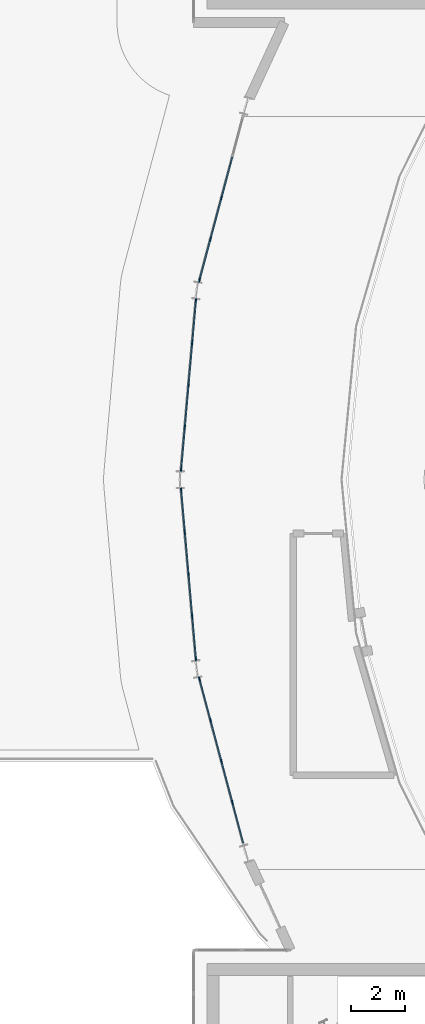
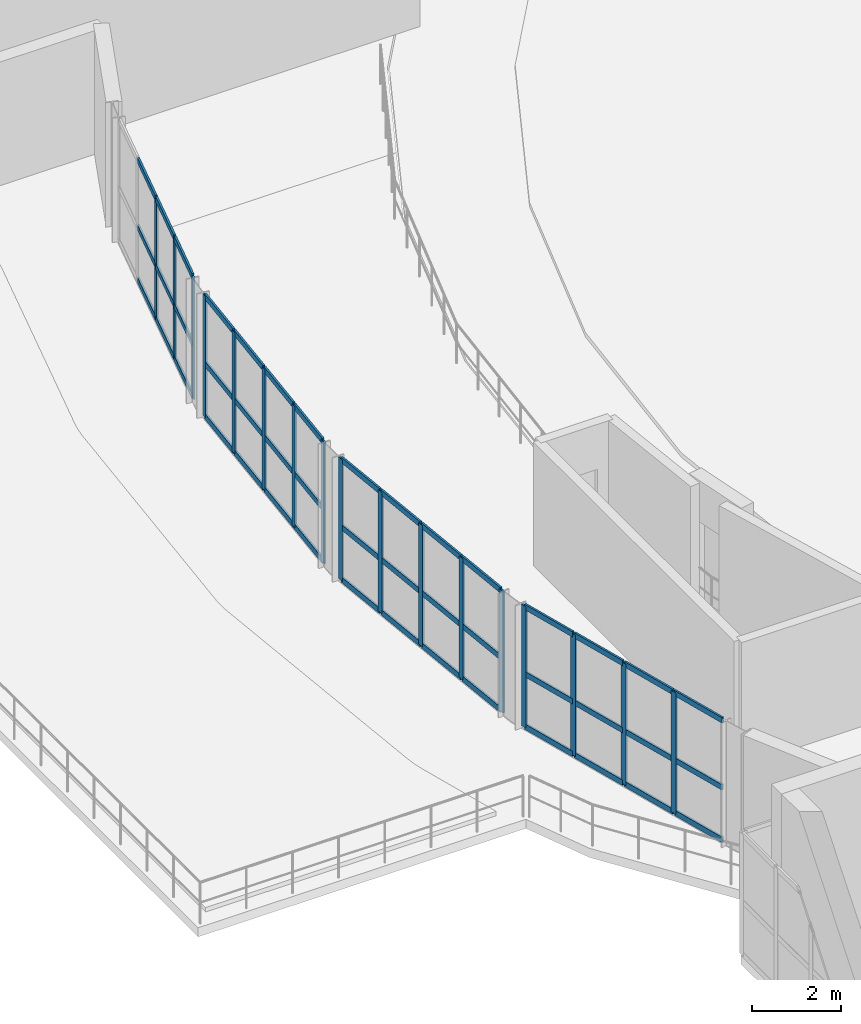
# One storey, part 12 of 40: 62 members, 4 elements without a shape of their own.
"""IFC4 building model written with IfcOpenShell, lengths in metres."""

from ifc_helpers import new_model, si_unit, direction, frame, origin, origin_2d, place, context, subcontext, project, spatial, rectangle, extrude, material, material_profile, profile_set, type_object, element, aggregate, save


model = new_model("IFC4")

# Units and contexts
model_context = context("Model", 3, precision=1e-05, world=origin(), true_north=direction((0.0, 1.0)))
body_context = subcontext(model_context, "Body", "Model", "MODEL_VIEW")
ifc_project = project(units=[si_unit("LENGTHUNIT", "METRE"), si_unit("AREAUNIT", "SQUARE_METRE"), si_unit("VOLUMEUNIT", "CUBIC_METRE"), si_unit("PLANEANGLEUNIT", "RADIAN"), si_unit("MASSUNIT", "GRAM", prefix="KILO")], contexts=[model_context])

# Site, building, storey
site_placement = place(None, origin())
site = spatial("IfcSite", under=ifc_project, at=site_placement, CompositionType="ELEMENT")
building_placement = place(site_placement, origin())
building = spatial("IfcBuilding", under=site, at=building_placement, Name="Glasvene Arena", CompositionType="ELEMENT")
storey_placement = place(building_placement, frame((0.0, 0.0, 24.0)))
storey = spatial("IfcBuildingStorey", under=building, at=storey_placement, Name="L05", CompositionType="ELEMENT", Elevation=24.0)

# Curtain wall, members
ifc_material_1 = material(Name="Low-emissivity laminated double glazing", Category="glass")
curtain_wall_type_1 = type_object("IfcCurtainWallType", Name="CW-FAC-L05-637x332", PredefinedType="USERDEFINED", material=ifc_material_1)
curtain_wall_1_placement = place(storey_placement, frame((44.3525390625, 59.44873046875, 0.0)))
curtain_wall_1 = element("IfcCurtainWall", 1, at=curtain_wall_1_placement, inside=storey, type_object=curtain_wall_type_1, Name="Unitised curtain wall CW-F-L05-150-435-625-5", ObjectType="CURTAIN WALL", PredefinedType="USERDEFINED")
ifc_material_2 = material(Name="Anodised architectural aluminium", Category="aluminium")
ifc_material_profile_1 = material_profile(ifc_material_2, rectangle(XDim=0.050048828125, YDim=0.159912109375, at=origin_2d()), Name="ALU MULLION 50x160")
ifc_profile_set_1 = profile_set([ifc_material_profile_1], Name="Anodised architectural aluminium")
member_type_1 = type_object("IfcMemberType", Name="CW-MUL-150", PredefinedType="MULLION", material=ifc_profile_set_1)
member_1_placement = place(storey_placement, frame((43.942138671875, 60.987548828125, 0.06005859375), z_axis=(0.0, 0.0, 1.0), x_axis=(-0.966214613156, -0.257738862657, 0.0)))
member_1 = element("IfcMember", 2, at=member_1_placement, type_object=member_type_1, Name="CW-057 mullion 2", PredefinedType="MULLION", context=body_context, shape_type="SweptSolid", body=[
    extrude(rectangle(XDim=0.050048828125, YDim=0.159912109375, at=origin_2d()), origin(), (0.0, 0.0, 1.0), 3.31982421875),
])
member_2_placement = place(storey_placement, frame((43.53173828125, 62.526123046875, 0.06005859375), z_axis=(0.0, 0.0, 1.0), x_axis=(-0.966214613156, -0.257738862657, 0.0)))
member_2 = element("IfcMember", 3, at=member_2_placement, type_object=member_type_1, Name="CW-057 mullion 3", PredefinedType="MULLION", context=body_context, shape_type="SweptSolid", body=[
    extrude(rectangle(XDim=0.050048828125, YDim=0.159912109375, at=origin_2d()), origin(), (0.0, 0.0, 1.0), 3.31982421875),
])
member_3_placement = place(storey_placement, frame((43.121337890625, 64.06494140625, 0.06005859375), z_axis=(0.0, 0.0, 1.0), x_axis=(-0.966214613156, -0.257738862657, 0.0)))
member_3 = element("IfcMember", 4, at=member_3_placement, type_object=member_type_1, Name="CW-057 mullion 4", PredefinedType="MULLION", context=body_context, shape_type="SweptSolid", body=[
    extrude(rectangle(XDim=0.050048828125, YDim=0.159912109375, at=origin_2d()), origin(), (0.0, 0.0, 1.0), 3.31982421875),
])
member_4_placement = place(storey_placement, frame((42.71728515625, 65.579345703125, 0.06005859375), z_axis=(0.0, 0.0, 1.0), x_axis=(-0.966214613156, -0.257738862657, 0.0)))
member_4 = element("IfcMember", 5, at=member_4_placement, type_object=member_type_1, Name="CW-057 mullion 5", PredefinedType="MULLION", context=body_context, shape_type="SweptSolid", body=[
    extrude(rectangle(XDim=0.050048828125, YDim=0.159912109375, at=origin_2d()), origin(), (0.0, 0.0, 1.0), 3.31982421875),
])

curtain_wall_type_2 = type_object("IfcCurtainWallType", Name="CW-FAC-L05-633x332", PredefinedType="USERDEFINED", material=ifc_material_1)
curtain_wall_2_placement = place(storey_placement, frame((42.58349609375, 66.326416015625, 0.0)))
curtain_wall_2 = element("IfcCurtainWall", 6, at=curtain_wall_2_placement, inside=storey, type_object=curtain_wall_type_2, Name="Unitised curtain wall CW-F-L05-150-423-695-6", ObjectType="CURTAIN WALL", PredefinedType="USERDEFINED")
member_5_placement = place(storey_placement, frame((42.58154296875, 66.351318359375, 0.06005859375), z_axis=(0.0, 0.0, 1.0), x_axis=(-0.996198448102, -0.087112869305, 0.0)))
member_5 = element("IfcMember", 7, at=member_5_placement, type_object=member_type_1, Name="CW-058 mullion 1", PredefinedType="MULLION", context=body_context, shape_type="SweptSolid", body=[
    extrude(rectangle(XDim=0.050048828125, YDim=0.159912109375, at=origin_2d()), origin(), (0.0, 0.0, 1.0), 3.31982421875),
])
member_6_placement = place(storey_placement, frame((42.44580078125, 67.903076171875, 0.06005859375), z_axis=(0.0, 0.0, 1.0), x_axis=(-0.996198448102, -0.087112869305, 0.0)))
member_6 = element("IfcMember", 8, at=member_6_placement, type_object=member_type_1, Name="CW-058 mullion 2", PredefinedType="MULLION", context=body_context, shape_type="SweptSolid", body=[
    extrude(rectangle(XDim=0.050048828125, YDim=0.159912109375, at=origin_2d()), origin(), (0.0, 0.0, 1.0), 3.31982421875),
])
member_7_placement = place(storey_placement, frame((42.307861328125, 69.479736328125, 0.06005859375), z_axis=(0.0, 0.0, 1.0), x_axis=(-0.996198448102, -0.087112869305, 0.0)))
member_7 = element("IfcMember", 9, at=member_7_placement, type_object=member_type_1, Name="CW-058 mullion 3", PredefinedType="MULLION", context=body_context, shape_type="SweptSolid", body=[
    extrude(rectangle(XDim=0.050048828125, YDim=0.159912109375, at=origin_2d()), origin(), (0.0, 0.0, 1.0), 3.31982421875),
])
member_8_placement = place(storey_placement, frame((42.169921875, 71.056396484375, 0.06005859375), z_axis=(0.0, 0.0, 1.0), x_axis=(-0.996198448102, -0.087112869305, 0.0)))
member_8 = element("IfcMember", 10, at=member_8_placement, type_object=member_type_1, Name="CW-058 mullion 4", PredefinedType="MULLION", context=body_context, shape_type="SweptSolid", body=[
    extrude(rectangle(XDim=0.050048828125, YDim=0.159912109375, at=origin_2d()), origin(), (0.0, 0.0, 1.0), 3.31982421875),
])
member_9_placement = place(storey_placement, frame((42.0341796875, 72.6083984375, 0.06005859375), z_axis=(0.0, 0.0, 1.0), x_axis=(-0.996198448102, -0.087112869305, 0.0)))
member_9 = element("IfcMember", 11, at=member_9_placement, type_object=member_type_1, Name="CW-058 mullion 5", PredefinedType="MULLION", context=body_context, shape_type="SweptSolid", body=[
    extrude(rectangle(XDim=0.050048828125, YDim=0.159912109375, at=origin_2d()), origin(), (0.0, 0.0, 1.0), 3.31982421875),
])

curtain_wall_3_placement = place(storey_placement, frame((42.031982421875, 73.36669921875, 0.0)))
curtain_wall_3 = element("IfcCurtainWall", 12, at=curtain_wall_3_placement, inside=storey, type_object=curtain_wall_type_2, Name="Unitised curtain wall CW-F-L05-150-423-765-7", ObjectType="CURTAIN WALL", PredefinedType="USERDEFINED")
member_10_placement = place(storey_placement, frame((42.0341796875, 73.3916015625, 0.06005859375), z_axis=(0.0, 0.0, 1.0), x_axis=(-0.996198448102, 0.087112869305, 0.0)))
member_10 = element("IfcMember", 13, at=member_10_placement, type_object=member_type_1, Name="CW-058 mullion 1", PredefinedType="MULLION", context=body_context, shape_type="SweptSolid", body=[
    extrude(rectangle(XDim=0.050048828125, YDim=0.159912109375, at=origin_2d()), origin(), (0.0, 0.0, 1.0), 3.31982421875),
])
member_11_placement = place(storey_placement, frame((42.169921875, 74.943603515625, 0.06005859375), z_axis=(0.0, 0.0, 1.0), x_axis=(-0.996198448102, 0.087112869305, 0.0)))
member_11 = element("IfcMember", 14, at=member_11_placement, type_object=member_type_1, Name="CW-058 mullion 2", PredefinedType="MULLION", context=body_context, shape_type="SweptSolid", body=[
    extrude(rectangle(XDim=0.050048828125, YDim=0.159912109375, at=origin_2d()), origin(), (0.0, 0.0, 1.0), 3.31982421875),
])
member_12_placement = place(storey_placement, frame((42.307861328125, 76.520263671875, 0.06005859375), z_axis=(0.0, 0.0, 1.0), x_axis=(-0.996198448102, 0.087112869305, 0.0)))
member_12 = element("IfcMember", 15, at=member_12_placement, type_object=member_type_1, Name="CW-058 mullion 3", PredefinedType="MULLION", context=body_context, shape_type="SweptSolid", body=[
    extrude(rectangle(XDim=0.050048828125, YDim=0.159912109375, at=origin_2d()), origin(), (0.0, 0.0, 1.0), 3.31982421875),
])
member_13_placement = place(storey_placement, frame((42.44580078125, 78.096923828125, 0.06005859375), z_axis=(0.0, 0.0, 1.0), x_axis=(-0.996198448102, 0.087112869305, 0.0)))
member_13 = element("IfcMember", 16, at=member_13_placement, type_object=member_type_1, Name="CW-058 mullion 4", PredefinedType="MULLION", context=body_context, shape_type="SweptSolid", body=[
    extrude(rectangle(XDim=0.050048828125, YDim=0.159912109375, at=origin_2d()), origin(), (0.0, 0.0, 1.0), 3.31982421875),
])
member_14_placement = place(storey_placement, frame((42.58154296875, 79.648681640625, 0.06005859375), z_axis=(0.0, 0.0, 1.0), x_axis=(-0.996198448102, 0.087112869305, 0.0)))
member_14 = element("IfcMember", 17, at=member_14_placement, type_object=member_type_1, Name="CW-058 mullion 5", PredefinedType="MULLION", context=body_context, shape_type="SweptSolid", body=[
    extrude(rectangle(XDim=0.050048828125, YDim=0.159912109375, at=origin_2d()), origin(), (0.0, 0.0, 1.0), 3.31982421875),
])

curtain_wall_4_placement = place(storey_placement, frame((42.710693359375, 80.396484375, 0.0)))
curtain_wall_4 = element("IfcCurtainWall", 18, at=curtain_wall_4_placement, inside=storey, type_object=curtain_wall_type_1, Name="Unitised curtain wall CW-F-L05-150-435-835-8", ObjectType="CURTAIN WALL", PredefinedType="USERDEFINED")
member_15_placement = place(storey_placement, frame((42.71728515625, 80.420654296875, 0.06005859375), z_axis=(0.0, 0.0, 1.0), x_axis=(-0.966214613156, 0.257738862657, 0.0)))
member_15 = element("IfcMember", 19, at=member_15_placement, type_object=member_type_1, Name="CW-057 mullion 1", PredefinedType="MULLION", context=body_context, shape_type="SweptSolid", body=[
    extrude(rectangle(XDim=0.050048828125, YDim=0.159912109375, at=origin_2d()), origin(), (0.0, 0.0, 1.0), 3.31982421875),
])
member_16_placement = place(storey_placement, frame((43.121337890625, 81.93505859375, 0.06005859375), z_axis=(0.0, 0.0, 1.0), x_axis=(-0.966214613156, 0.257738862657, 0.0)))
member_16 = element("IfcMember", 20, at=member_16_placement, type_object=member_type_1, Name="CW-057 mullion 2", PredefinedType="MULLION", context=body_context, shape_type="SweptSolid", body=[
    extrude(rectangle(XDim=0.050048828125, YDim=0.159912109375, at=origin_2d()), origin(), (0.0, 0.0, 1.0), 3.31982421875),
])
member_17_placement = place(storey_placement, frame((43.53173828125, 83.473876953125, 0.06005859375), z_axis=(0.0, 0.0, 1.0), x_axis=(-0.966214613156, 0.257738862657, 0.0)))
member_17 = element("IfcMember", 21, at=member_17_placement, type_object=member_type_1, Name="CW-057 mullion 3", PredefinedType="MULLION", context=body_context, shape_type="SweptSolid", body=[
    extrude(rectangle(XDim=0.050048828125, YDim=0.159912109375, at=origin_2d()), origin(), (0.0, 0.0, 1.0), 3.31982421875),
])

# Member
ifc_material_profile_2 = material_profile(ifc_material_2, rectangle(XDim=0.050048828125, YDim=0.14990234375, at=origin_2d()), Name="ALU TRANSOM 50x150")
ifc_profile_set_2 = profile_set([ifc_material_profile_2], Name="Anodised architectural aluminium")
member_type_2 = type_object("IfcMemberType", Name="CW-TRN-150", PredefinedType="USERDEFINED", material=ifc_profile_set_2)
member_18_placement = place(storey_placement, frame((44.339599609375, 59.4970703125, 0.0849609375), z_axis=(-0.257722728091, 0.966218916926, 0.0), x_axis=(-0.966218916926, -0.257722728091, 0.0)))
member_18 = element("IfcMember", 22, at=member_18_placement, type_object=member_type_2, Name="CW-057 transom 1.1", ObjectType="TRANSOM", PredefinedType="USERDEFINED", context=body_context, shape_type="SweptSolid", body=[
    extrude(rectangle(XDim=0.050048828125, YDim=0.14990234375, at=origin_2d()), origin(), (0.0, 0.0, 1.0), 1.517578125),
])

member_19_placement = place(storey_placement, frame((44.339599609375, 59.4970703125, 1.52099609375), z_axis=(-0.257722728091, 0.966218916926, 0.0), x_axis=(-0.966218916926, -0.257722728091, 0.0)))
member_19 = element("IfcMember", 23, at=member_19_placement, type_object=member_type_2, Name="CW-057 transom 1.2", ObjectType="TRANSOM", PredefinedType="USERDEFINED", context=body_context, shape_type="SweptSolid", body=[
    extrude(rectangle(XDim=0.050048828125, YDim=0.14990234375, at=origin_2d()), origin(), (0.0, 0.0, 1.0), 1.517578125),
])

member_20_placement = place(storey_placement, frame((44.339599609375, 59.4970703125, 3.35498046875), z_axis=(-0.257722728091, 0.966218916926, 0.0), x_axis=(-0.966218916926, -0.257722728091, 0.0)))
member_20 = element("IfcMember", 24, at=member_20_placement, type_object=member_type_2, Name="CW-057 transom 1.3", ObjectType="TRANSOM", PredefinedType="USERDEFINED", context=body_context, shape_type="SweptSolid", body=[
    extrude(rectangle(XDim=0.050048828125, YDim=0.14990234375, at=origin_2d()), origin(), (0.0, 0.0, 1.0), 1.517578125),
])

member_21_placement = place(storey_placement, frame((43.935791015625, 61.01171875, 0.0849609375), z_axis=(-0.257849831821, 0.966185005178, 0.0), x_axis=(-0.966185005178, -0.257849831821, 0.0)))
member_21 = element("IfcMember", 25, at=member_21_placement, type_object=member_type_2, Name="CW-057 transom 2.1", ObjectType="TRANSOM", PredefinedType="USERDEFINED", context=body_context, shape_type="SweptSolid", body=[
    extrude(rectangle(XDim=0.050048828125, YDim=0.14990234375, at=origin_2d()), origin(), (0.0, 0.0, 1.0), 1.54248046875),
])

member_22_placement = place(storey_placement, frame((43.935791015625, 61.01171875, 1.52099609375), z_axis=(-0.257849831821, 0.966185005178, 0.0), x_axis=(-0.966185005178, -0.257849831821, 0.0)))
member_22 = element("IfcMember", 26, at=member_22_placement, type_object=member_type_2, Name="CW-057 transom 2.2", ObjectType="TRANSOM", PredefinedType="USERDEFINED", context=body_context, shape_type="SweptSolid", body=[
    extrude(rectangle(XDim=0.050048828125, YDim=0.14990234375, at=origin_2d()), origin(), (0.0, 0.0, 1.0), 1.54248046875),
])

member_23_placement = place(storey_placement, frame((43.935791015625, 61.01171875, 3.35498046875), z_axis=(-0.257849831821, 0.966185005178, 0.0), x_axis=(-0.966185005178, -0.257849831821, 0.0)))
member_23 = element("IfcMember", 27, at=member_23_placement, type_object=member_type_2, Name="CW-057 transom 2.3", ObjectType="TRANSOM", PredefinedType="USERDEFINED", context=body_context, shape_type="SweptSolid", body=[
    extrude(rectangle(XDim=0.050048828125, YDim=0.14990234375, at=origin_2d()), origin(), (0.0, 0.0, 1.0), 1.54248046875),
])

member_24_placement = place(storey_placement, frame((43.525146484375, 62.55029296875, 0.0849609375), z_axis=(-0.25766265056, 0.966234939601, 0.0), x_axis=(-0.966234939601, -0.25766265056, 0.0)))
member_24 = element("IfcMember", 28, at=member_24_placement, type_object=member_type_2, Name="CW-057 transom 3.1", ObjectType="TRANSOM", PredefinedType="USERDEFINED", context=body_context, shape_type="SweptSolid", body=[
    extrude(rectangle(XDim=0.050048828125, YDim=0.14990234375, at=origin_2d()), origin(), (0.0, 0.0, 1.0), 1.54248046875),
])

member_25_placement = place(storey_placement, frame((43.525146484375, 62.55029296875, 1.52099609375), z_axis=(-0.25766265056, 0.966234939601, 0.0), x_axis=(-0.966234939601, -0.25766265056, 0.0)))
member_25 = element("IfcMember", 29, at=member_25_placement, type_object=member_type_2, Name="CW-057 transom 3.2", ObjectType="TRANSOM", PredefinedType="USERDEFINED", context=body_context, shape_type="SweptSolid", body=[
    extrude(rectangle(XDim=0.050048828125, YDim=0.14990234375, at=origin_2d()), origin(), (0.0, 0.0, 1.0), 1.54248046875),
])

member_26_placement = place(storey_placement, frame((43.525146484375, 62.55029296875, 3.35498046875), z_axis=(-0.25766265056, 0.966234939601, 0.0), x_axis=(-0.966234939601, -0.25766265056, 0.0)))
member_26 = element("IfcMember", 30, at=member_26_placement, type_object=member_type_2, Name="CW-057 transom 3.3", ObjectType="TRANSOM", PredefinedType="USERDEFINED", context=body_context, shape_type="SweptSolid", body=[
    extrude(rectangle(XDim=0.050048828125, YDim=0.14990234375, at=origin_2d()), origin(), (0.0, 0.0, 1.0), 1.54248046875),
])

member_27_placement = place(storey_placement, frame((43.11474609375, 64.089111328125, 0.0849609375), z_axis=(-0.257762794791, 0.966208228914, 0.0), x_axis=(-0.966208228914, -0.257762794791, 0.0)))
member_27 = element("IfcMember", 31, at=member_27_placement, type_object=member_type_2, Name="CW-057 transom 4.1", ObjectType="TRANSOM", PredefinedType="USERDEFINED", context=body_context, shape_type="SweptSolid", body=[
    extrude(rectangle(XDim=0.050048828125, YDim=0.14990234375, at=origin_2d()), origin(), (0.0, 0.0, 1.0), 1.517333984375),
])

member_28_placement = place(storey_placement, frame((43.11474609375, 64.089111328125, 1.52099609375), z_axis=(-0.257762794791, 0.966208228914, 0.0), x_axis=(-0.966208228914, -0.257762794791, 0.0)))
member_28 = element("IfcMember", 32, at=member_28_placement, type_object=member_type_2, Name="CW-057 transom 4.2", ObjectType="TRANSOM", PredefinedType="USERDEFINED", context=body_context, shape_type="SweptSolid", body=[
    extrude(rectangle(XDim=0.050048828125, YDim=0.14990234375, at=origin_2d()), origin(), (0.0, 0.0, 1.0), 1.517333984375),
])

member_29_placement = place(storey_placement, frame((43.11474609375, 64.089111328125, 3.35498046875), z_axis=(-0.257762794791, 0.966208228914, 0.0), x_axis=(-0.966208228914, -0.257762794791, 0.0)))
member_29 = element("IfcMember", 33, at=member_29_placement, type_object=member_type_2, Name="CW-057 transom 4.3", ObjectType="TRANSOM", PredefinedType="USERDEFINED", context=body_context, shape_type="SweptSolid", body=[
    extrude(rectangle(XDim=0.050048828125, YDim=0.14990234375, at=origin_2d()), origin(), (0.0, 0.0, 1.0), 1.517333984375),
])

aggregate(curtain_wall_1, [member_1, member_2, member_3, member_4, member_18, member_19, member_20, member_21, member_22, member_23, member_24, member_25, member_26, member_27, member_28, member_29])

member_30_placement = place(storey_placement, frame((42.579345703125, 66.376220703125, 0.0849609375), z_axis=(-0.087118740064, 0.996197934715, 0.0), x_axis=(-0.996197934715, -0.087118740064, 0.0)))
member_30 = element("IfcMember", 34, at=member_30_placement, type_object=member_type_2, Name="CW-058 transom 1.1", ObjectType="TRANSOM", PredefinedType="USERDEFINED", context=body_context, shape_type="SweptSolid", body=[
    extrude(rectangle(XDim=0.050048828125, YDim=0.14990234375, at=origin_2d()), origin(), (0.0, 0.0, 1.0), 1.507568359375),
])

member_31_placement = place(storey_placement, frame((42.579345703125, 66.376220703125, 1.52099609375), z_axis=(-0.087118740064, 0.996197934715, 0.0), x_axis=(-0.996197934715, -0.087118740064, 0.0)))
member_31 = element("IfcMember", 35, at=member_31_placement, type_object=member_type_2, Name="CW-058 transom 1.2", ObjectType="TRANSOM", PredefinedType="USERDEFINED", context=body_context, shape_type="SweptSolid", body=[
    extrude(rectangle(XDim=0.050048828125, YDim=0.14990234375, at=origin_2d()), origin(), (0.0, 0.0, 1.0), 1.507568359375),
])

member_32_placement = place(storey_placement, frame((42.579345703125, 66.376220703125, 3.35498046875), z_axis=(-0.087118740064, 0.996197934715, 0.0), x_axis=(-0.996197934715, -0.087118740064, 0.0)))
member_32 = element("IfcMember", 36, at=member_32_placement, type_object=member_type_2, Name="CW-058 transom 1.3", ObjectType="TRANSOM", PredefinedType="USERDEFINED", context=body_context, shape_type="SweptSolid", body=[
    extrude(rectangle(XDim=0.050048828125, YDim=0.14990234375, at=origin_2d()), origin(), (0.0, 0.0, 1.0), 1.507568359375),
])

member_33_placement = place(storey_placement, frame((42.443603515625, 67.927978515625, 0.0849609375), z_axis=(-0.087131382393, 0.996196829046, 0.0), x_axis=(-0.996196829046, -0.087131382393, 0.0)))
member_33 = element("IfcMember", 37, at=member_33_placement, type_object=member_type_2, Name="CW-058 transom 2.1", ObjectType="TRANSOM", PredefinedType="USERDEFINED", context=body_context, shape_type="SweptSolid", body=[
    extrude(rectangle(XDim=0.050048828125, YDim=0.14990234375, at=origin_2d()), origin(), (0.0, 0.0, 1.0), 1.53271484375),
])

member_34_placement = place(storey_placement, frame((42.443603515625, 67.927978515625, 1.52099609375), z_axis=(-0.087131382393, 0.996196829046, 0.0), x_axis=(-0.996196829046, -0.087131382393, 0.0)))
member_34 = element("IfcMember", 38, at=member_34_placement, type_object=member_type_2, Name="CW-058 transom 2.2", ObjectType="TRANSOM", PredefinedType="USERDEFINED", context=body_context, shape_type="SweptSolid", body=[
    extrude(rectangle(XDim=0.050048828125, YDim=0.14990234375, at=origin_2d()), origin(), (0.0, 0.0, 1.0), 1.53271484375),
])

member_35_placement = place(storey_placement, frame((42.443603515625, 67.927978515625, 3.35498046875), z_axis=(-0.087131382393, 0.996196829046, 0.0), x_axis=(-0.996196829046, -0.087131382393, 0.0)))
member_35 = element("IfcMember", 39, at=member_35_placement, type_object=member_type_2, Name="CW-058 transom 2.3", ObjectType="TRANSOM", PredefinedType="USERDEFINED", context=body_context, shape_type="SweptSolid", body=[
    extrude(rectangle(XDim=0.050048828125, YDim=0.14990234375, at=origin_2d()), origin(), (0.0, 0.0, 1.0), 1.53271484375),
])

member_36_placement = place(storey_placement, frame((42.3056640625, 69.504638671875, 0.0849609375), z_axis=(-0.087131382393, 0.996196829046, 0.0), x_axis=(-0.996196829046, -0.087131382393, 0.0)))
member_36 = element("IfcMember", 40, at=member_36_placement, type_object=member_type_2, Name="CW-058 transom 3.1", ObjectType="TRANSOM", PredefinedType="USERDEFINED", context=body_context, shape_type="SweptSolid", body=[
    extrude(rectangle(XDim=0.050048828125, YDim=0.14990234375, at=origin_2d()), origin(), (0.0, 0.0, 1.0), 1.53271484375),
])

member_37_placement = place(storey_placement, frame((42.3056640625, 69.504638671875, 1.52099609375), z_axis=(-0.087131382393, 0.996196829046, 0.0), x_axis=(-0.996196829046, -0.087131382393, 0.0)))
member_37 = element("IfcMember", 41, at=member_37_placement, type_object=member_type_2, Name="CW-058 transom 3.2", ObjectType="TRANSOM", PredefinedType="USERDEFINED", context=body_context, shape_type="SweptSolid", body=[
    extrude(rectangle(XDim=0.050048828125, YDim=0.14990234375, at=origin_2d()), origin(), (0.0, 0.0, 1.0), 1.53271484375),
])

member_38_placement = place(storey_placement, frame((42.3056640625, 69.504638671875, 3.35498046875), z_axis=(-0.087131382393, 0.996196829046, 0.0), x_axis=(-0.996196829046, -0.087131382393, 0.0)))
member_38 = element("IfcMember", 42, at=member_38_placement, type_object=member_type_2, Name="CW-058 transom 3.3", ObjectType="TRANSOM", PredefinedType="USERDEFINED", context=body_context, shape_type="SweptSolid", body=[
    extrude(rectangle(XDim=0.050048828125, YDim=0.14990234375, at=origin_2d()), origin(), (0.0, 0.0, 1.0), 1.53271484375),
])

member_39_placement = place(storey_placement, frame((42.167724609375, 71.081298828125, 0.0849609375), z_axis=(-0.087104688757, 0.996199163419, 0.0), x_axis=(-0.996199163419, -0.087104688757, 0.0)))
member_39 = element("IfcMember", 43, at=member_39_placement, type_object=member_type_2, Name="CW-058 transom 4.1", ObjectType="TRANSOM", PredefinedType="USERDEFINED", context=body_context, shape_type="SweptSolid", body=[
    extrude(rectangle(XDim=0.050048828125, YDim=0.14990234375, at=origin_2d()), origin(), (0.0, 0.0, 1.0), 1.5078125),
])

member_40_placement = place(storey_placement, frame((42.167724609375, 71.081298828125, 1.52099609375), z_axis=(-0.087104688757, 0.996199163419, 0.0), x_axis=(-0.996199163419, -0.087104688757, 0.0)))
member_40 = element("IfcMember", 44, at=member_40_placement, type_object=member_type_2, Name="CW-058 transom 4.2", ObjectType="TRANSOM", PredefinedType="USERDEFINED", context=body_context, shape_type="SweptSolid", body=[
    extrude(rectangle(XDim=0.050048828125, YDim=0.14990234375, at=origin_2d()), origin(), (0.0, 0.0, 1.0), 1.5078125),
])

member_41_placement = place(storey_placement, frame((42.167724609375, 71.081298828125, 3.35498046875), z_axis=(-0.087104688757, 0.996199163419, 0.0), x_axis=(-0.996199163419, -0.087104688757, 0.0)))
member_41 = element("IfcMember", 45, at=member_41_placement, type_object=member_type_2, Name="CW-058 transom 4.3", ObjectType="TRANSOM", PredefinedType="USERDEFINED", context=body_context, shape_type="SweptSolid", body=[
    extrude(rectangle(XDim=0.050048828125, YDim=0.14990234375, at=origin_2d()), origin(), (0.0, 0.0, 1.0), 1.5078125),
])

aggregate(curtain_wall_2, [member_5, member_6, member_7, member_8, member_9, member_30, member_31, member_32, member_33, member_34, member_35, member_36, member_37, member_38, member_39, member_40, member_41])

member_42_placement = place(storey_placement, frame((42.036376953125, 73.41650390625, 0.0849609375), z_axis=(0.087104688757, 0.996199163419, 0.0), x_axis=(-0.996199163419, 0.087104688757, 0.0)))
member_42 = element("IfcMember", 46, at=member_42_placement, type_object=member_type_2, Name="CW-058 transom 1.1", ObjectType="TRANSOM", PredefinedType="USERDEFINED", context=body_context, shape_type="SweptSolid", body=[
    extrude(rectangle(XDim=0.050048828125, YDim=0.14990234375, at=origin_2d()), origin(), (0.0, 0.0, 1.0), 1.5078125),
])

member_43_placement = place(storey_placement, frame((42.036376953125, 73.41650390625, 1.52099609375), z_axis=(0.087104688757, 0.996199163419, 0.0), x_axis=(-0.996199163419, 0.087104688757, 0.0)))
member_43 = element("IfcMember", 47, at=member_43_placement, type_object=member_type_2, Name="CW-058 transom 1.2", ObjectType="TRANSOM", PredefinedType="USERDEFINED", context=body_context, shape_type="SweptSolid", body=[
    extrude(rectangle(XDim=0.050048828125, YDim=0.14990234375, at=origin_2d()), origin(), (0.0, 0.0, 1.0), 1.5078125),
])

member_44_placement = place(storey_placement, frame((42.036376953125, 73.41650390625, 3.35498046875), z_axis=(0.087104688757, 0.996199163419, 0.0), x_axis=(-0.996199163419, 0.087104688757, 0.0)))
member_44 = element("IfcMember", 48, at=member_44_placement, type_object=member_type_2, Name="CW-058 transom 1.3", ObjectType="TRANSOM", PredefinedType="USERDEFINED", context=body_context, shape_type="SweptSolid", body=[
    extrude(rectangle(XDim=0.050048828125, YDim=0.14990234375, at=origin_2d()), origin(), (0.0, 0.0, 1.0), 1.5078125),
])

member_45_placement = place(storey_placement, frame((42.172119140625, 74.968505859375, 0.0849609375), z_axis=(0.087131382393, 0.996196829046, 0.0), x_axis=(-0.996196829046, 0.087131382393, 0.0)))
member_45 = element("IfcMember", 49, at=member_45_placement, type_object=member_type_2, Name="CW-058 transom 2.1", ObjectType="TRANSOM", PredefinedType="USERDEFINED", context=body_context, shape_type="SweptSolid", body=[
    extrude(rectangle(XDim=0.050048828125, YDim=0.14990234375, at=origin_2d()), origin(), (0.0, 0.0, 1.0), 1.53271484375),
])

member_46_placement = place(storey_placement, frame((42.172119140625, 74.968505859375, 1.52099609375), z_axis=(0.087131382393, 0.996196829046, 0.0), x_axis=(-0.996196829046, 0.087131382393, 0.0)))
member_46 = element("IfcMember", 50, at=member_46_placement, type_object=member_type_2, Name="CW-058 transom 2.2", ObjectType="TRANSOM", PredefinedType="USERDEFINED", context=body_context, shape_type="SweptSolid", body=[
    extrude(rectangle(XDim=0.050048828125, YDim=0.14990234375, at=origin_2d()), origin(), (0.0, 0.0, 1.0), 1.53271484375),
])

member_47_placement = place(storey_placement, frame((42.172119140625, 74.968505859375, 3.35498046875), z_axis=(0.087131382393, 0.996196829046, 0.0), x_axis=(-0.996196829046, 0.087131382393, 0.0)))
member_47 = element("IfcMember", 51, at=member_47_placement, type_object=member_type_2, Name="CW-058 transom 2.3", ObjectType="TRANSOM", PredefinedType="USERDEFINED", context=body_context, shape_type="SweptSolid", body=[
    extrude(rectangle(XDim=0.050048828125, YDim=0.14990234375, at=origin_2d()), origin(), (0.0, 0.0, 1.0), 1.53271484375),
])

member_48_placement = place(storey_placement, frame((42.31005859375, 76.545166015625, 0.0849609375), z_axis=(0.087131382393, 0.996196829046, 0.0), x_axis=(-0.996196829046, 0.087131382393, 0.0)))
member_48 = element("IfcMember", 52, at=member_48_placement, type_object=member_type_2, Name="CW-058 transom 3.1", ObjectType="TRANSOM", PredefinedType="USERDEFINED", context=body_context, shape_type="SweptSolid", body=[
    extrude(rectangle(XDim=0.050048828125, YDim=0.14990234375, at=origin_2d()), origin(), (0.0, 0.0, 1.0), 1.53271484375),
])

member_49_placement = place(storey_placement, frame((42.31005859375, 76.545166015625, 1.52099609375), z_axis=(0.087131382393, 0.996196829046, 0.0), x_axis=(-0.996196829046, 0.087131382393, 0.0)))
member_49 = element("IfcMember", 53, at=member_49_placement, type_object=member_type_2, Name="CW-058 transom 3.2", ObjectType="TRANSOM", PredefinedType="USERDEFINED", context=body_context, shape_type="SweptSolid", body=[
    extrude(rectangle(XDim=0.050048828125, YDim=0.14990234375, at=origin_2d()), origin(), (0.0, 0.0, 1.0), 1.53271484375),
])

member_50_placement = place(storey_placement, frame((42.31005859375, 76.545166015625, 3.35498046875), z_axis=(0.087131382393, 0.996196829046, 0.0), x_axis=(-0.996196829046, 0.087131382393, 0.0)))
member_50 = element("IfcMember", 54, at=member_50_placement, type_object=member_type_2, Name="CW-058 transom 3.3", ObjectType="TRANSOM", PredefinedType="USERDEFINED", context=body_context, shape_type="SweptSolid", body=[
    extrude(rectangle(XDim=0.050048828125, YDim=0.14990234375, at=origin_2d()), origin(), (0.0, 0.0, 1.0), 1.53271484375),
])

member_51_placement = place(storey_placement, frame((42.447998046875, 78.121826171875, 0.0849609375), z_axis=(0.087118740064, 0.996197934715, 0.0), x_axis=(-0.996197934715, 0.087118740064, 0.0)))
member_51 = element("IfcMember", 55, at=member_51_placement, type_object=member_type_2, Name="CW-058 transom 4.1", ObjectType="TRANSOM", PredefinedType="USERDEFINED", context=body_context, shape_type="SweptSolid", body=[
    extrude(rectangle(XDim=0.050048828125, YDim=0.14990234375, at=origin_2d()), origin(), (0.0, 0.0, 1.0), 1.507568359375),
])

member_52_placement = place(storey_placement, frame((42.447998046875, 78.121826171875, 1.52099609375), z_axis=(0.087118740064, 0.996197934715, 0.0), x_axis=(-0.996197934715, 0.087118740064, 0.0)))
member_52 = element("IfcMember", 56, at=member_52_placement, type_object=member_type_2, Name="CW-058 transom 4.2", ObjectType="TRANSOM", PredefinedType="USERDEFINED", context=body_context, shape_type="SweptSolid", body=[
    extrude(rectangle(XDim=0.050048828125, YDim=0.14990234375, at=origin_2d()), origin(), (0.0, 0.0, 1.0), 1.507568359375),
])

member_53_placement = place(storey_placement, frame((42.447998046875, 78.121826171875, 3.35498046875), z_axis=(0.087118740064, 0.996197934715, 0.0), x_axis=(-0.996197934715, 0.087118740064, 0.0)))
member_53 = element("IfcMember", 57, at=member_53_placement, type_object=member_type_2, Name="CW-058 transom 4.3", ObjectType="TRANSOM", PredefinedType="USERDEFINED", context=body_context, shape_type="SweptSolid", body=[
    extrude(rectangle(XDim=0.050048828125, YDim=0.14990234375, at=origin_2d()), origin(), (0.0, 0.0, 1.0), 1.507568359375),
])

aggregate(curtain_wall_3, [member_10, member_11, member_12, member_13, member_14, member_42, member_43, member_44, member_45, member_46, member_47, member_48, member_49, member_50, member_51, member_52, member_53])

member_54_placement = place(storey_placement, frame((42.7236328125, 80.44482421875, 0.0849609375), z_axis=(0.257762794791, 0.966208228914, 0.0), x_axis=(-0.966208228914, 0.257762794791, 0.0)))
member_54 = element("IfcMember", 58, at=member_54_placement, type_object=member_type_2, Name="CW-057 transom 1.1", ObjectType="TRANSOM", PredefinedType="USERDEFINED", context=body_context, shape_type="SweptSolid", body=[
    extrude(rectangle(XDim=0.050048828125, YDim=0.14990234375, at=origin_2d()), origin(), (0.0, 0.0, 1.0), 1.517333984375),
])

member_55_placement = place(storey_placement, frame((42.7236328125, 80.44482421875, 1.52099609375), z_axis=(0.257762794791, 0.966208228914, 0.0), x_axis=(-0.966208228914, 0.257762794791, 0.0)))
member_55 = element("IfcMember", 59, at=member_55_placement, type_object=member_type_2, Name="CW-057 transom 1.2", ObjectType="TRANSOM", PredefinedType="USERDEFINED", context=body_context, shape_type="SweptSolid", body=[
    extrude(rectangle(XDim=0.050048828125, YDim=0.14990234375, at=origin_2d()), origin(), (0.0, 0.0, 1.0), 1.517333984375),
])

member_56_placement = place(storey_placement, frame((42.7236328125, 80.44482421875, 3.35498046875), z_axis=(0.257762794791, 0.966208228914, 0.0), x_axis=(-0.966208228914, 0.257762794791, 0.0)))
member_56 = element("IfcMember", 60, at=member_56_placement, type_object=member_type_2, Name="CW-057 transom 1.3", ObjectType="TRANSOM", PredefinedType="USERDEFINED", context=body_context, shape_type="SweptSolid", body=[
    extrude(rectangle(XDim=0.050048828125, YDim=0.14990234375, at=origin_2d()), origin(), (0.0, 0.0, 1.0), 1.517333984375),
])

member_57_placement = place(storey_placement, frame((43.127685546875, 81.959228515625, 0.0849609375), z_axis=(0.25766265056, 0.966234939601, 0.0), x_axis=(-0.966234939601, 0.25766265056, 0.0)))
member_57 = element("IfcMember", 61, at=member_57_placement, type_object=member_type_2, Name="CW-057 transom 2.1", ObjectType="TRANSOM", PredefinedType="USERDEFINED", context=body_context, shape_type="SweptSolid", body=[
    extrude(rectangle(XDim=0.050048828125, YDim=0.14990234375, at=origin_2d()), origin(), (0.0, 0.0, 1.0), 1.54248046875),
])

member_58_placement = place(storey_placement, frame((43.127685546875, 81.959228515625, 1.52099609375), z_axis=(0.25766265056, 0.966234939601, 0.0), x_axis=(-0.966234939601, 0.25766265056, 0.0)))
member_58 = element("IfcMember", 62, at=member_58_placement, type_object=member_type_2, Name="CW-057 transom 2.2", ObjectType="TRANSOM", PredefinedType="USERDEFINED", context=body_context, shape_type="SweptSolid", body=[
    extrude(rectangle(XDim=0.050048828125, YDim=0.14990234375, at=origin_2d()), origin(), (0.0, 0.0, 1.0), 1.54248046875),
])

member_59_placement = place(storey_placement, frame((43.127685546875, 81.959228515625, 3.35498046875), z_axis=(0.25766265056, 0.966234939601, 0.0), x_axis=(-0.966234939601, 0.25766265056, 0.0)))
member_59 = element("IfcMember", 63, at=member_59_placement, type_object=member_type_2, Name="CW-057 transom 2.3", ObjectType="TRANSOM", PredefinedType="USERDEFINED", context=body_context, shape_type="SweptSolid", body=[
    extrude(rectangle(XDim=0.050048828125, YDim=0.14990234375, at=origin_2d()), origin(), (0.0, 0.0, 1.0), 1.54248046875),
])

member_60_placement = place(storey_placement, frame((43.5380859375, 83.498046875, 0.0849609375), z_axis=(0.257849831821, 0.966185005178, 0.0), x_axis=(-0.966185005178, 0.257849831821, 0.0)))
member_60 = element("IfcMember", 64, at=member_60_placement, type_object=member_type_2, Name="CW-057 transom 3.1", ObjectType="TRANSOM", PredefinedType="USERDEFINED", context=body_context, shape_type="SweptSolid", body=[
    extrude(rectangle(XDim=0.050048828125, YDim=0.14990234375, at=origin_2d()), origin(), (0.0, 0.0, 1.0), 1.54248046875),
])

member_61_placement = place(storey_placement, frame((43.5380859375, 83.498046875, 1.52099609375), z_axis=(0.257849831821, 0.966185005178, 0.0), x_axis=(-0.966185005178, 0.257849831821, 0.0)))
member_61 = element("IfcMember", 65, at=member_61_placement, type_object=member_type_2, Name="CW-057 transom 3.2", ObjectType="TRANSOM", PredefinedType="USERDEFINED", context=body_context, shape_type="SweptSolid", body=[
    extrude(rectangle(XDim=0.050048828125, YDim=0.14990234375, at=origin_2d()), origin(), (0.0, 0.0, 1.0), 1.54248046875),
])

member_62_placement = place(storey_placement, frame((43.5380859375, 83.498046875, 3.35498046875), z_axis=(0.257849831821, 0.966185005178, 0.0), x_axis=(-0.966185005178, 0.257849831821, 0.0)))
member_62 = element("IfcMember", 66, at=member_62_placement, type_object=member_type_2, Name="CW-057 transom 3.3", ObjectType="TRANSOM", PredefinedType="USERDEFINED", context=body_context, shape_type="SweptSolid", body=[
    extrude(rectangle(XDim=0.050048828125, YDim=0.14990234375, at=origin_2d()), origin(), (0.0, 0.0, 1.0), 1.54248046875),
])

aggregate(curtain_wall_4, [member_15, member_16, member_17, member_54, member_55, member_56, member_57, member_58, member_59, member_60, member_61, member_62])

save(model, "model.ifc")
